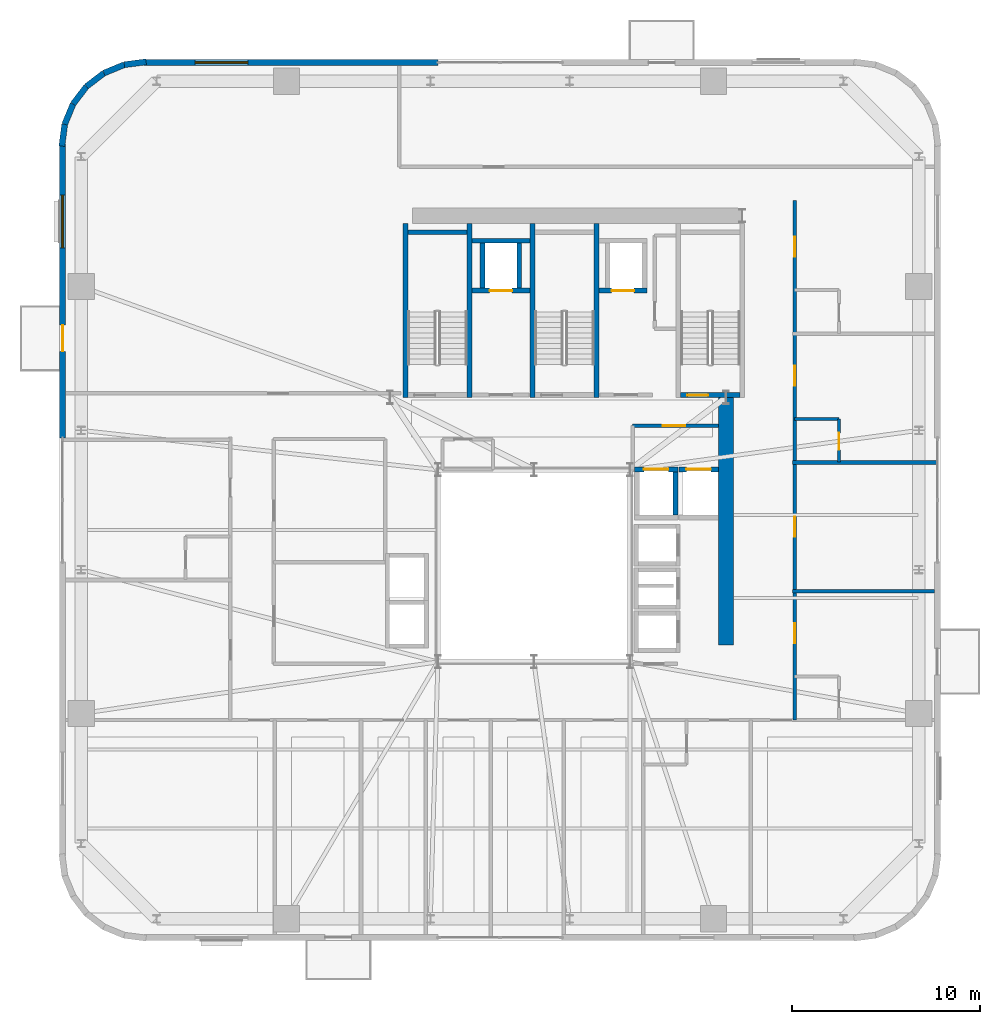
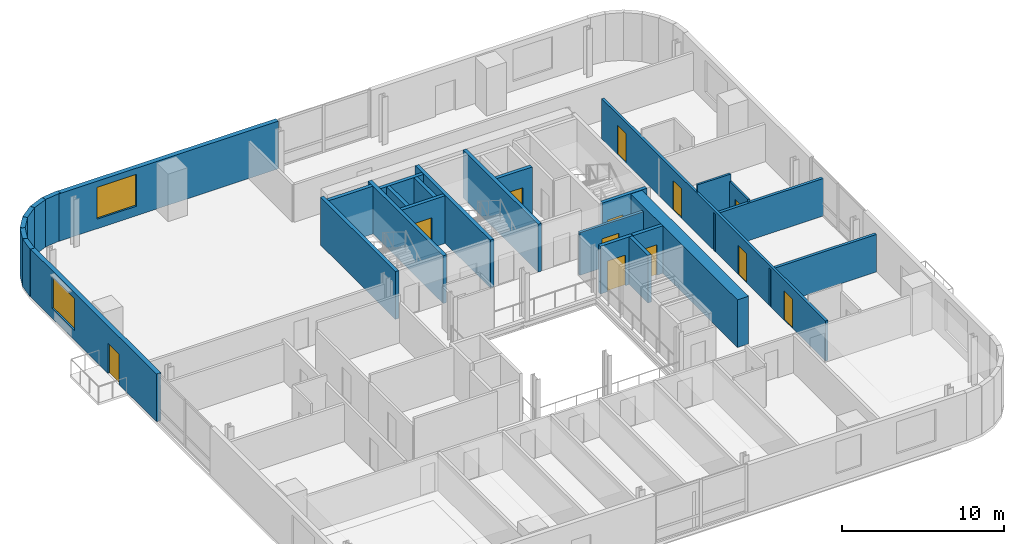
# One storey, part 10 of 16: 29 walls, 12 doors, 2 windows, 14 openings.
"""IFC4 building model written with IfcOpenShell, lengths in metres."""

import ifcopenshell
import ifcopenshell.guid

model = None  # the IFC model being written
_history = None  # IfcOwnerHistory: only IFC2X3 demands one
_inside = {}  # id of a spatial element -> (the spatial element, [elements in it])
_under = {}  # id of a project, library or spatial element -> (it, [spatial elements below it])
_declared = {}  # id of a project -> (the project, [libraries it declares])
_typed = {}  # id of a type object -> (the type object, [elements of that type])
_made_of = {}  # id of a material, layer set ... -> (it, [elements and type objects made of it])


def new_model(schema):
    """Start an empty IFC model of exactly this schema.

    Asked for "IFC4X3", IfcOpenShell would pick the latest addendum, in which some entities
    have other attributes; the version numbers below select the first issue.
    IFC2X3 requires an IfcOwnerHistory on every rooted entity: one is made here for all.
    """
    global model, _history
    if schema == "IFC4X3":
        model = ifcopenshell.file(schema_version=(4, 3, 0, 0))
    else:
        model = ifcopenshell.file(schema=schema)
    _inside.clear()
    _under.clear()
    _declared.clear()
    _typed.clear()
    _made_of.clear()
    _history = None
    if model.schema == "IFC2X3":
        org = make("IfcOrganization", Name="unknown")
        user = make(
            "IfcPersonAndOrganization",
            ThePerson=make("IfcPerson", FamilyName="unknown"),
            TheOrganization=org,
        )
        app = make(
            "IfcApplication",
            ApplicationDeveloper=org,
            Version="unknown",
            ApplicationFullName="unknown",
            ApplicationIdentifier="unknown",
        )
        _history = make(
            "IfcOwnerHistory",
            OwningUser=user,
            OwningApplication=app,
            ChangeAction="ADDED",
            CreationDate=0,
        )
    return model


def make(cls, **values):
    """One entity of the class cls with the attributes given. An attribute that is None is left unset."""
    return model.create_entity(
        cls, **{name: value for name, value in values.items() if value is not None}
    )


def rooted(cls, **values):
    """An entity with a GlobalId (a new one), such as an element, a storey or a relation."""
    return make(cls, GlobalId=ifcopenshell.guid.new(), OwnerHistory=_history, **values)


def si_unit(unit_type, name, prefix=None):
    """IfcSIUnit, for example si_unit("LENGTHUNIT", "METRE", prefix="MILLI")."""
    return make("IfcSIUnit", UnitType=unit_type, Prefix=prefix, Name=name)


def assignment(units):
    """IfcUnitAssignment: the units of a project."""
    return None if units is None else make("IfcUnitAssignment", Units=units)


def point(xyz):
    """IfcCartesianPoint."""
    return None if xyz is None else make("IfcCartesianPoint", Coordinates=xyz)


def direction(xyz):
    """IfcDirection."""
    return None if xyz is None else make("IfcDirection", DirectionRatios=xyz)


def frame(location, z_axis=None, x_axis=None):
    """IfcAxis2Placement3D, a coordinate frame: its origin and axes. An axis left out is left unset."""
    return make(
        "IfcAxis2Placement3D",
        Location=point(location),
        Axis=direction(z_axis),
        RefDirection=direction(x_axis),
    )


def frame_2d(location, x_axis=None):
    """IfcAxis2Placement2D, a coordinate frame in the plane: its origin and x axis."""
    return make(
        "IfcAxis2Placement2D", Location=point(location), RefDirection=direction(x_axis)
    )


def origin():
    """The frame at (0, 0, 0) with its axes left unset."""
    return frame((0.0, 0.0, 0.0))


def place(relative_to, where):
    """IfcLocalPlacement: puts the frame where relative to a parent placement (None: the world)."""
    return make(
        "IfcLocalPlacement", PlacementRelTo=relative_to, RelativePlacement=where
    )


def context(
    kind, dimensions, precision=None, world=None, true_north=None, identifier=None
):
    """IfcGeometricRepresentationContext, for example the 3D "Model" context."""
    return make(
        "IfcGeometricRepresentationContext",
        ContextIdentifier=identifier,
        ContextType=kind,
        CoordinateSpaceDimension=dimensions,
        Precision=precision,
        WorldCoordinateSystem=world,
        TrueNorth=true_north,
    )


def subcontext(parent, identifier, kind, view, scale=None):
    """IfcGeometricRepresentationSubContext, for example "Body" below "Model"."""
    return make(
        "IfcGeometricRepresentationSubContext",
        ContextIdentifier=identifier,
        ContextType=kind,
        ParentContext=parent,
        TargetScale=scale,
        TargetView=view,
    )


def project(units=None, contexts=None):
    """IfcProject with its units and contexts."""
    return rooted(
        "IfcProject",
        Name="project",
        RepresentationContexts=contexts,
        UnitsInContext=assignment(units),
    )


def spatial(cls, under=None, at=None, **own):
    """A site, building, storey or space (cls), placed at a placement, below another one or the project."""
    s = rooted(cls, ObjectPlacement=at, **own)
    if under is not None:
        _under.setdefault(under.id(), (under, []))[1].append(s)
    return s


def profile(cls, at=None, kind="AREA", **sizes):
    """A parametric profile (cls). Its sizes go by their IFC names, for example OverallWidth=200.0."""
    return make(cls, ProfileType=kind, Position=at, **sizes)


def rectangle(**sizes):
    """IfcRectangleProfileDef."""
    return profile("IfcRectangleProfileDef", **sizes)


def extrude(swept, where, along, depth):
    """IfcExtrudedAreaSolid: the profile swept, set in the frame where, extruded along a direction by depth."""
    return make(
        "IfcExtrudedAreaSolid",
        SweptArea=swept,
        Position=where,
        ExtrudedDirection=direction(along),
        Depth=depth,
    )


def shape(context_of_items, identifier, shape_type, items):
    """IfcShapeRepresentation: the items that make up one representation, for example the "Body"."""
    return make(
        "IfcShapeRepresentation",
        ContextOfItems=context_of_items,
        RepresentationIdentifier=identifier,
        RepresentationType=shape_type,
        Items=items,
    )


def source(mapping_origin, context_of_items, identifier, shape_type, items):
    """IfcRepresentationMap: a shape defined once, which mapped items show again and again."""
    return make(
        "IfcRepresentationMap",
        MappingOrigin=mapping_origin,
        MappedRepresentation=shape(context_of_items, identifier, shape_type, items),
    )


def transform(
    local_origin,
    x_axis=None,
    y_axis=None,
    z_axis=None,
    scale=None,
    scale2=None,
    scale3=None,
    uniform=True,
):
    """IfcCartesianTransformationOperator3D, or its non-uniform kind. x_axis, y_axis, z_axis: its Axis1, 2, 3."""
    if uniform:
        return make(
            "IfcCartesianTransformationOperator3D",
            Axis1=direction(x_axis),
            Axis2=direction(y_axis),
            LocalOrigin=point(local_origin),
            Scale=scale,
            Axis3=direction(z_axis),
        )
    return make(
        "IfcCartesianTransformationOperator3DnonUniform",
        Axis1=direction(x_axis),
        Axis2=direction(y_axis),
        LocalOrigin=point(local_origin),
        Scale=scale,
        Axis3=direction(z_axis),
        Scale2=scale2,
        Scale3=scale3,
    )


def mapped(mapping_source, mapping_target):
    """IfcMappedItem: shows the shape of a source again, moved by a transform."""
    return make(
        "IfcMappedItem", MappingSource=mapping_source, MappingTarget=mapping_target
    )


def material(Name=None, Category=None):
    """IfcMaterial."""
    return make("IfcMaterial", Name=Name, Category=Category)


def layer(
    of_material, thickness, ventilated=None, Name=None, Category=None, Priority=None
):
    """IfcMaterialLayer: one layer of a wall or slab, of a material (None: an air gap)."""
    return make(
        "IfcMaterialLayer",
        Material=of_material,
        LayerThickness=thickness,
        IsVentilated=ventilated,
        Name=Name,
        Category=Category,
        Priority=Priority,
    )


def layer_set(layers, Name=None):
    """IfcMaterialLayerSet."""
    return make("IfcMaterialLayerSet", MaterialLayers=layers, LayerSetName=Name)


def made_of(thing, what):
    """Note that an element or type object is made of a material, layer set ...; save() writes the relation."""
    if what is not None:
        _made_of.setdefault(what.id(), (what, []))[1].append(thing)
    return thing


def type_object(cls, material=None, **own):
    """A type object (cls), such as IfcWallType, which elements share."""
    return made_of(rooted(cls, **own), material)


def element(
    cls,
    number,
    at=None,
    inside=None,
    cuts=None,
    type_object=None,
    material=None,
    context=None,
    identifier="Body",
    shape_type=None,
    held_by="IfcProductDefinitionShape",
    body=None,
    shapes=None,
    **own,
):
    """One element of the class cls, such as IfcWall. Its Tag is "e" and its number.

    at: its placement. inside: the storey or other place that contains it. cuts: it is an
    opening in that element (IfcRelVoidsElement). A single representation is given by context,
    identifier, shape_type and body (its items); several are given by shapes. held_by: the class
    of the entity that holds the representations. save() writes the other relations.
    """
    e = rooted(cls, Tag="e%d" % number, ObjectPlacement=at, **own)
    if body is not None:
        shapes = [shape(context, identifier, shape_type, body)]
    if shapes is not None:
        e.Representation = make(held_by, Representations=shapes)
    if inside is not None:
        _inside.setdefault(inside.id(), (inside, []))[1].append(e)
    if cuts is not None:
        rooted(
            "IfcRelVoidsElement", RelatingBuildingElement=cuts, RelatedOpeningElement=e
        )
    if type_object is not None:
        _typed.setdefault(type_object.id(), (type_object, []))[1].append(e)
    return made_of(e, material)


def fill(opening, filler):
    """IfcRelFillsElement: the door or window that sits in an opening."""
    return rooted(
        "IfcRelFillsElement",
        RelatingOpeningElement=opening,
        RelatedBuildingElement=filler,
    )


def aggregate(whole, parts):
    """IfcRelAggregates: a whole, such as a stair, and the parts it consists of."""
    return rooted("IfcRelAggregates", RelatingObject=whole, RelatedObjects=parts)


def save(model, path):
    """Write the relations noted so far, then the file.

    IfcRelAggregates (storeys below a building ...), IfcRelContainedInSpatialStructure (elements
    in a storey), IfcRelDefinesByType, IfcRelAssociatesMaterial and IfcRelDeclares: one each for
    every whole, place, type object, material and project.
    """
    for whole, parts in _under.values():
        aggregate(whole, parts)
    for where, things in _inside.values():
        rooted(
            "IfcRelContainedInSpatialStructure",
            RelatedElements=things,
            RelatingStructure=where,
        )
    for kind, things in _typed.values():
        rooted("IfcRelDefinesByType", RelatedObjects=things, RelatingType=kind)
    for what, things in _made_of.values():
        rooted("IfcRelAssociatesMaterial", RelatedObjects=things, RelatingMaterial=what)
    for by, libraries in _declared.values():
        rooted("IfcRelDeclares", RelatingContext=by, RelatedDefinitions=libraries)
    model.write(path)


model = new_model("IFC4")

# Units and contexts
model_context = context("Model", 3, precision=1e-05, world=origin(), true_north=direction((0.0, 1.0)))
body_context = subcontext(model_context, "Body", "Model", "MODEL_VIEW")
ifc_project = project(units=[si_unit("LENGTHUNIT", "METRE"), si_unit("AREAUNIT", "SQUARE_METRE"), si_unit("VOLUMEUNIT", "CUBIC_METRE"), si_unit("PLANEANGLEUNIT", "RADIAN"), si_unit("MASSUNIT", "GRAM", prefix="KILO")], contexts=[model_context])

# Site, building, storey
site_placement = place(None, origin())
site = spatial("IfcSite", under=ifc_project, at=site_placement, CompositionType="ELEMENT")
building_placement = place(site_placement, origin())
building = spatial("IfcBuilding", under=site, at=building_placement, Name="Vardaveli Station Tower", CompositionType="ELEMENT")
storey_placement = place(building_placement, frame((0.0, 0.0, 181.0)))
storey = spatial("IfcBuildingStorey", under=building, at=storey_placement, Name="L46", CompositionType="ELEMENT", Elevation=181.0)

# Wall
ifc_material_1 = material(Name="Concrete C50/60", Category="concrete")
ifc_layer_1 = layer(ifc_material_1, 0.800048828125, Name="Concrete C50/60")
ifc_layer_set_1 = layer_set([ifc_layer_1], Name="Concrete C50/60")
wall_type_1 = type_object("IfcWallType", Name="WAL-CORE-800", PredefinedType="SHEAR", material=ifc_layer_set_1)
shared_shape_1 = source(origin(), body_context, "Body", "SweptSolid", [
    extrude(rectangle(XDim=13.14990234375, YDim=0.800048828125, at=frame_2d((6.574951171875, 0.0))), origin(), (0.0, 0.0, 1.0), 3.580078125),
])
wall_1_placement = place(storey_placement, frame((46.5, 17.5, 0.0), z_axis=(0.0, 0.0, 1.0), x_axis=(0.0, 1.0, 0.0)))
element("IfcWall", 1, at=wall_1_placement, inside=storey, type_object=wall_type_1, Name="SW-L46-EAST2", PredefinedType="SHEAR", context=body_context, shape_type="MappedRepresentation", body=[
    mapped(shared_shape_1, transform((0.0, 0.0, 0.0), scale=1.0)),
])

# Wall, opening, window
ifc_material_2 = material(Name="Precast concrete C45/55", Category="concrete")
ifc_layer_2 = layer(ifc_material_2, 0.320068359375, Name="Precast concrete C45/55")
ifc_layer_set_2 = layer_set([ifc_layer_2], Name="Precast concrete C45/55")
wall_type_2 = type_object("IfcWallType", Name="WAL-EXT-STONE-320", PredefinedType="SOLIDWALL", material=ifc_layer_set_2)
shared_shape_2 = source(origin(), body_context, "Body", "SweptSolid", [
    extrude(rectangle(XDim=15.599853515625, YDim=0.320068359375, at=frame_2d((7.7998046875, 0.0))), origin(), (0.0, 0.0, 1.0), 3.580078125),
])
wall_2_placement = place(storey_placement, frame((31.199951171875, 48.43994140625, 0.0), z_axis=(0.0, 0.0, 1.0), x_axis=(-1.0, 0.0, 0.0)))
wall_2 = element("IfcWall", 2, at=wall_2_placement, inside=storey, type_object=wall_type_2, Name="EW-L46-N2", PredefinedType="SOLIDWALL", context=body_context, shape_type="MappedRepresentation", body=[
    mapped(shared_shape_2, transform((0.0, 0.0, 0.0), scale=1.0)),
])
shared_shape_3 = source(origin(), body_context, "Body", "SweptSolid", [
    extrude(rectangle(XDim=2.800048828125, YDim=2.39990234375, at=frame_2d((1.39990234375, 1.199951171875))), frame((0.0, 0.169921875, 0.0), z_axis=(0.0, -1.0, 0.0), x_axis=(1.0, 0.0, 0.0)), (0.0, 0.0, 1.0), 0.340087890625),
])
opening_1_placement = place(wall_2_placement, frame((10.094970703125, 0.0, 0.719970703125)))
opening_1 = element("IfcOpeningElement", 3, at=opening_1_placement, cuts=wall_2, Name="Opening W-04", PredefinedType="OPENING", context=body_context, shape_type="MappedRepresentation", body=[
    mapped(shared_shape_3, transform((0.0, 0.0, 0.0), scale=1.0)),
])
ifc_material_3 = material(Name="Low-E solar-control glass", Category="glass")
window_type = type_object("IfcWindowType", Name="WIN-SUITE-2800x2400", PartitioningType="SINGLE_PANEL", PredefinedType="WINDOW", material=ifc_material_3)
shared_shape_4 = source(origin(), body_context, "Body", "SweptSolid", [
    extrude(rectangle(XDim=2.800048828125, YDim=2.39990234375, at=frame_2d((1.39990234375, 1.199951171875))), frame((0.0, 0.030029296875, 0.0), z_axis=(0.0, -1.0, 0.0), x_axis=(1.0, 0.0, 0.0)), (0.0, 0.0, 1.0), 0.06005859375),
])
window_1_placement = place(opening_1_placement, origin())
window_1 = element("IfcWindow", 4, at=window_1_placement, inside=storey, type_object=window_type, Name="WN-L46-N2", OverallHeight=2.39990234375, OverallWidth=2.800048828125, PartitioningType="SINGLE_PANEL", PredefinedType="WINDOW", context=body_context, shape_type="MappedRepresentation", body=[
    mapped(shared_shape_4, transform((0.0, 0.0, 0.0), scale=1.0)),
])
fill(opening_1, window_1)

# Wall, openings, door, window
shared_shape_5 = source(origin(), body_context, "Body", "SweptSolid", [
    extrude(rectangle(XDim=15.60009765625, YDim=0.320068359375, at=frame_2d((7.800048828125, 0.0))), origin(), (0.0, 0.0, 1.0), 3.580078125),
])
wall_3_placement = place(storey_placement, frame((11.260009765625, 44.10009765625, 0.0), z_axis=(0.0, 0.0, 1.0), x_axis=(0.0, -1.0, 0.0)))
wall_3 = element("IfcWall", 5, at=wall_3_placement, inside=storey, type_object=wall_type_2, Name="EW-L46-W1", PredefinedType="SOLIDWALL", context=body_context, shape_type="MappedRepresentation", body=[
    mapped(shared_shape_5, transform((0.0, 0.0, 0.0), scale=1.0)),
])
shared_shape_6 = source(origin(), body_context, "Body", "SweptSolid", [
    extrude(rectangle(XDim=1.39990234375, YDim=2.300048828125, at=frame_2d((0.699951171875, 1.14990234375))), frame((0.0, 0.169921875, 0.0), z_axis=(0.0, -1.0, 0.0), x_axis=(1.0, 0.0, 0.0)), (0.0, 0.0, 1.0), 0.340087890625),
])
opening_2_placement = place(wall_3_placement, frame((9.6103515625, 0.0, 0.0)))
opening_2 = element("IfcOpeningElement", 6, at=opening_2_placement, cuts=wall_3, Name="Opening D-09", PredefinedType="OPENING", context=body_context, shape_type="MappedRepresentation", body=[
    mapped(shared_shape_6, transform((0.0, 0.0, 0.0), scale=1.0)),
])
opening_3_placement = place(wall_3_placement, frame((2.705078125, 0.0, 0.719970703125)))
opening_3 = element("IfcOpeningElement", 7, at=opening_3_placement, cuts=wall_3, Name="Opening W-04", PredefinedType="OPENING", context=body_context, shape_type="MappedRepresentation", body=[
    mapped(shared_shape_3, transform((0.0, 0.0, 0.0), scale=1.0)),
])
ifc_material_4 = material(Name="Thermally broken aluminium glass", Category="aluminium")
door_type_1 = type_object("IfcDoorType", Name="DR-LOG-1400x2300", OperationType="DOUBLE_DOOR_SLIDING", PredefinedType="DOOR", material=ifc_material_4)
shared_shape_7 = source(origin(), body_context, "Body", "SweptSolid", [
    extrude(rectangle(XDim=1.39990234375, YDim=2.300048828125, at=frame_2d((0.699951171875, 1.14990234375))), frame((0.0, 0.02490234375, 0.0), z_axis=(0.0, -1.0, 0.0), x_axis=(1.0, 0.0, 0.0)), (0.0, 0.0, 1.0), 0.050048828125),
])
door_1_placement = place(opening_2_placement, frame((1.39990234375, 0.0, 0.0), z_axis=(0.0, 0.0, 1.0), x_axis=(-1.0, 0.0, 0.0)))
door_1 = element("IfcDoor", 8, at=door_1_placement, inside=storey, type_object=door_type_1, Name="DLG-L46-W", OperationType="DOUBLE_DOOR_SLIDING", OverallHeight=2.300048828125, OverallWidth=1.39990234375, PredefinedType="DOOR", context=body_context, shape_type="MappedRepresentation", body=[
    mapped(shared_shape_7, transform((0.0, 0.0, 0.0), scale=1.0)),
])
fill(opening_2, door_1)
window_2_placement = place(opening_3_placement, origin())
window_2 = element("IfcWindow", 9, at=window_2_placement, inside=storey, type_object=window_type, Name="WN-L46-W1", OverallHeight=2.39990234375, OverallWidth=2.800048828125, PartitioningType="SINGLE_PANEL", PredefinedType="WINDOW", context=body_context, shape_type="MappedRepresentation", body=[
    mapped(shared_shape_4, transform((0.0, 0.0, 0.0), scale=1.0)),
])
fill(opening_3, window_2)

# Walls
shared_shape_8 = source(origin(), body_context, "Body", "SweptSolid", [
    extrude(rectangle(XDim=1.1689453125, YDim=0.320068359375, at=frame_2d((0.58447265625, 0.0))), origin(), (0.0, 0.0, 1.0), 3.580078125),
])
wall_4_placement = place(storey_placement, frame((12.53125, 47.1689453125, 0.0), z_axis=(0.0, 0.0, 1.0), x_axis=(-0.608387696831, -0.793639975269, 0.0)))
element("IfcWall", 10, at=wall_4_placement, inside=storey, type_object=wall_type_2, Name="EW-L46-CR4-4", PredefinedType="SOLIDWALL", context=body_context, shape_type="MappedRepresentation", body=[
    mapped(shared_shape_8, transform((0.0, 0.0, 0.0), scale=1.0)),
])
shared_shape_9 = source(origin(), body_context, "Body", "SweptSolid", [
    extrude(rectangle(XDim=1.168701171875, YDim=0.320068359375, at=frame_2d((0.58447265625, 0.0))), origin(), (0.0, 0.0, 1.0), 3.580078125),
])
wall_5_placement = place(storey_placement, frame((13.458740234375, 47.8798828125, 0.0), z_axis=(0.0, 0.0, 1.0), x_axis=(-0.793663520347, -0.608356981114, 0.0)))
element("IfcWall", 11, at=wall_5_placement, inside=storey, type_object=wall_type_2, Name="EW-L46-CR4-3", PredefinedType="SOLIDWALL", context=body_context, shape_type="MappedRepresentation", body=[
    mapped(shared_shape_9, transform((0.0, 0.0, 0.0), scale=1.0)),
])
shared_shape_10 = source(origin(), body_context, "Body", "SweptSolid", [
    extrude(rectangle(XDim=1.17041015625, YDim=0.320068359375, at=frame_2d((0.585205078125, 0.0))), origin(), (0.0, 0.0, 1.0), 3.580078125),
])
for number, where, z_axis, x_axis, name in (
    (12, (15.700439453125, 48.4755859375, 0.0), (0.0, 0.0, 1.0), (-0.991735963317, -0.128295670475, 0.0), "EW-L46-CR4-1"),
    (13, (11.37451171875, 45.16015625, 0.0), (0.0, 0.0, 1.0), (-0.128295670475, -0.991735963317, 0.0), "EW-L46-CR4-6"),
):
    element("IfcWall", number, at=place(storey_placement, frame(where, z_axis=z_axis, x_axis=x_axis)), inside=storey, type_object=wall_type_2, Name=name, PredefinedType="SOLIDWALL", context=body_context, shape_type="MappedRepresentation", body=[
        mapped(shared_shape_10, transform((0.0, 0.0, 0.0), scale=1.0)),
    ])
shared_shape_11 = source(origin(), body_context, "Body", "SweptSolid", [
    extrude(rectangle(XDim=1.169189453125, YDim=0.320068359375, at=frame_2d((0.58447265625, 0.0))), origin(), (0.0, 0.0, 1.0), 3.580078125),
])
for number, where, z_axis, x_axis, name in (
    (14, (14.539794921875, 48.325439453125, 0.0), (0.0, 0.0, 1.0), (-0.924552646638, -0.381054331552, 0.0), "EW-L46-CR4-2"),
    (15, (11.820068359375, 46.2412109375, 0.0), (0.0, 0.0, 1.0), (-0.381054331552, -0.924552646638, 0.0), "EW-L46-CR4-5"),
):
    element("IfcWall", number, at=place(storey_placement, frame(where, z_axis=z_axis, x_axis=x_axis)), inside=storey, type_object=wall_type_2, Name=name, PredefinedType="SOLIDWALL", context=body_context, shape_type="MappedRepresentation", body=[
        mapped(shared_shape_11, transform((0.0, 0.0, 0.0), scale=1.0)),
    ])
ifc_material_5 = material(Name="Concrete C40/50", Category="concrete")
ifc_layer_3 = layer(ifc_material_5, 0.25, Name="Concrete C40/50")
ifc_layer_set_3 = layer_set([ifc_layer_3], Name="Concrete C40/50")
wall_type_3 = type_object("IfcWallType", Name="WAL-SHAFT-250", PredefinedType="SOLIDWALL", material=ifc_layer_set_3)
shared_shape_12 = source(origin(), body_context, "Body", "SweptSolid", [
    extrude(rectangle(XDim=9.25, YDim=0.25, at=frame_2d((4.625, 0.0))), origin(), (0.0, 0.0, 1.0), 3.60009765625),
])
for number, where, z_axis, x_axis, name in (
    (16, (29.47509765625, 30.64990234375, 0.0), (0.0, 0.0, 1.0), (0.0, 1.0, 0.0), "W-L46-ST-1W"),
    (17, (32.875, 30.64990234375, 0.0), (0.0, 0.0, 1.0), (0.0, 1.0, 0.0), "W-L46-ST-1E"),
    (18, (36.22509765625, 30.64990234375, 0.0), (0.0, 0.0, 1.0), (0.0, 1.0, 0.0), "W-L46-ST-2W"),
    (19, (39.625, 30.64990234375, 0.0), (0.0, 0.0, 1.0), (0.0, 1.0, 0.0), "W-L46-ST-2E"),
):
    element("IfcWall", number, at=place(storey_placement, frame(where, z_axis=z_axis, x_axis=x_axis)), inside=storey, type_object=wall_type_3, Name=name, PredefinedType="SOLIDWALL", context=body_context, shape_type="MappedRepresentation", body=[
        mapped(shared_shape_12, transform((0.0, 0.0, 0.0), scale=1.0)),
    ])
shared_shape_13 = source(origin(), body_context, "Body", "SweptSolid", [
    extrude(rectangle(XDim=3.14990234375, YDim=0.25, at=frame_2d((1.574951171875, 0.0))), origin(), (0.0, 0.0, 1.0), 3.60009765625),
])
wall_6_placement = place(storey_placement, frame((29.60009765625, 39.425048828125, 0.0), z_axis=(0.0, 0.0, 1.0), x_axis=(1.0, 0.0, 0.0)))
element("IfcWall", 20, at=wall_6_placement, inside=storey, type_object=wall_type_3, Name="W-L46-ST-1N", PredefinedType="SOLIDWALL", context=body_context, shape_type="MappedRepresentation", body=[
    mapped(shared_shape_13, transform((0.0, 0.0, 0.0), scale=1.0)),
])

# Wall, opening, door
wall_7_placement = place(storey_placement, frame((44.10009765625, 30.77490234375, 0.0), z_axis=(0.0, 0.0, 1.0), x_axis=(1.0, 0.0, 0.0)))
wall_7 = element("IfcWall", 21, at=wall_7_placement, inside=storey, type_object=wall_type_3, Name="W-L46-ST-3S", PredefinedType="SOLIDWALL", context=body_context, shape_type="MappedRepresentation", body=[
    mapped(shared_shape_13, transform((0.0, 0.0, 0.0), scale=1.0)),
])
shared_shape_14 = source(origin(), body_context, "Body", "SweptSolid", [
    extrude(rectangle(XDim=1.10009765625, YDim=2.199951171875, at=frame_2d((0.550048828125, 1.10009765625))), frame((0.0, 0.135009765625, 0.0), z_axis=(0.0, -1.0, 0.0), x_axis=(1.0, 0.0, 0.0)), (0.0, 0.0, 1.0), 0.27001953125),
])
opening_4_placement = place(wall_7_placement, frame((0.35009765625, 0.0, 0.0)))
opening_4 = element("IfcOpeningElement", 22, at=opening_4_placement, cuts=wall_7, Name="Opening D-04", PredefinedType="OPENING", context=body_context, shape_type="MappedRepresentation", body=[
    mapped(shared_shape_14, transform((0.0, 0.0, 0.0), scale=1.0)),
])
ifc_material_6 = material(Name="Steel smokeproof fire doorset", Category="steel")
door_type_2 = type_object("IfcDoorType", Name="DR-ST-1100x2200", OperationType="NOTDEFINED", PredefinedType="DOOR", material=ifc_material_6)
shared_shape_15 = source(origin(), body_context, "Body", "SweptSolid", [
    extrude(rectangle(XDim=1.10009765625, YDim=2.199951171875, at=frame_2d((0.550048828125, 1.10009765625))), frame((0.0, 0.02490234375, 0.0), z_axis=(0.0, -1.0, 0.0), x_axis=(1.0, 0.0, 0.0)), (0.0, 0.0, 1.0), 0.050048828125),
])
door_2_placement = place(opening_4_placement, origin())
door_2 = element("IfcDoor", 23, at=door_2_placement, inside=storey, type_object=door_type_2, Name="DST-3-L46", OperationType="SINGLE_SWING_LEFT", OverallHeight=2.199951171875, OverallWidth=1.10009765625, PredefinedType="DOOR", context=body_context, shape_type="MappedRepresentation", body=[
    mapped(shared_shape_15, transform((0.0, 0.0, 0.0), scale=1.0)),
])
fill(opening_4, door_2)

shared_shape_16 = source(origin(), body_context, "Body", "SweptSolid", [
    extrude(rectangle(XDim=3.10009765625, YDim=0.25, at=frame_2d((1.550048828125, 0.0))), origin(), (0.0, 0.0, 1.0), 3.580078125),
])
wall_8_placement = place(storey_placement, frame((33.0, 36.324951171875, 0.0), z_axis=(0.0, 0.0, 1.0), x_axis=(1.0, 0.0, 0.0)))
wall_8 = element("IfcWall", 24, at=wall_8_placement, inside=storey, type_object=wall_type_3, Name="SHW-FFL-01-L46-S", PredefinedType="SOLIDWALL", context=body_context, shape_type="MappedRepresentation", body=[
    mapped(shared_shape_16, transform((0.0, 0.0, 0.0), scale=1.0)),
])
shared_shape_17 = source(origin(), body_context, "Body", "SweptSolid", [
    extrude(rectangle(XDim=1.199951171875, YDim=2.25, at=frame_2d((0.60009765625, 1.125))), frame((0.0, 0.135009765625, 0.0), z_axis=(0.0, -1.0, 0.0), x_axis=(1.0, 0.0, 0.0)), (0.0, 0.0, 1.0), 0.27001953125),
])
opening_5_placement = place(wall_8_placement, frame((0.949951171875, 0.0, 0.0)))
opening_5 = element("IfcOpeningElement", 25, at=opening_5_placement, cuts=wall_8, Name="Opening LD-02", PredefinedType="OPENING", context=body_context, shape_type="MappedRepresentation", body=[
    mapped(shared_shape_17, transform((0.0, 0.0, 0.0), scale=1.0)),
])
ifc_material_7 = material(Name="Brushed stainless steel", Category="steel")
door_type_3 = type_object("IfcDoorType", Name="DR-LD-1200x2250", OperationType="DOUBLE_DOOR_SLIDING", PredefinedType="DOOR", material=ifc_material_7)
shared_shape_18 = source(origin(), body_context, "Body", "SweptSolid", [
    extrude(rectangle(XDim=1.199951171875, YDim=2.25, at=frame_2d((0.60009765625, 1.125))), frame((0.0, 0.02490234375, 0.0), z_axis=(0.0, -1.0, 0.0), x_axis=(1.0, 0.0, 0.0)), (0.0, 0.0, 1.0), 0.050048828125),
])
door_3_placement = place(opening_5_placement, origin())
door_3 = element("IfcDoor", 26, at=door_3_placement, inside=storey, type_object=door_type_3, Name="LD-FFL-01-L46", OperationType="DOUBLE_DOOR_SLIDING", OverallHeight=2.25, OverallWidth=1.199951171875, PredefinedType="DOOR", context=body_context, shape_type="MappedRepresentation", body=[
    mapped(shared_shape_18, transform((0.0, 0.0, 0.0), scale=1.0)),
])
fill(opening_5, door_3)

# Walls
wall_9_placement = place(storey_placement, frame((33.0, 38.97509765625, 0.0), z_axis=(0.0, 0.0, 1.0), x_axis=(1.0, 0.0, 0.0)))
element("IfcWall", 27, at=wall_9_placement, inside=storey, type_object=wall_type_3, Name="SHW-FFL-01-L46-N", PredefinedType="SOLIDWALL", context=body_context, shape_type="MappedRepresentation", body=[
    mapped(shared_shape_16, transform((0.0, 0.0, 0.0), scale=1.0)),
])
shared_shape_19 = source(origin(), body_context, "Body", "SweptSolid", [
    extrude(rectangle(XDim=2.400146484375, YDim=0.25, at=frame_2d((1.2001953125, 0.0))), origin(), (0.0, 0.0, 1.0), 3.580078125),
])
for number, where, z_axis, x_axis, name in (
    (28, (33.574951171875, 36.449951171875, 0.0), (0.0, 0.0, 1.0), (0.0, 1.0, 0.0), "SHW-FFL-01-L46-W"),
    (29, (35.52490234375, 36.449951171875, 0.0), (0.0, 0.0, 1.0), (0.0, 1.0, 0.0), "SHW-FFL-01-L46-E"),
):
    element("IfcWall", number, at=place(storey_placement, frame(where, z_axis=z_axis, x_axis=x_axis)), inside=storey, type_object=wall_type_3, Name=name, PredefinedType="SOLIDWALL", context=body_context, shape_type="MappedRepresentation", body=[
        mapped(shared_shape_19, transform((0.0, 0.0, 0.0), scale=1.0)),
    ])

# Wall, opening, door
shared_shape_20 = source(origin(), body_context, "Body", "SweptSolid", [
    extrude(rectangle(XDim=2.550048828125, YDim=0.25, at=frame_2d((1.27490234375, 0.0))), origin(), (0.0, 0.0, 1.0), 3.580078125),
])
wall_10_placement = place(storey_placement, frame((39.75, 36.324951171875, 0.0), z_axis=(0.0, 0.0, 1.0), x_axis=(1.0, 0.0, 0.0)))
wall_10 = element("IfcWall", 30, at=wall_10_placement, inside=storey, type_object=wall_type_3, Name="SHW-FFL-02-L46-S", PredefinedType="SOLIDWALL", context=body_context, shape_type="MappedRepresentation", body=[
    mapped(shared_shape_20, transform((0.0, 0.0, 0.0), scale=1.0)),
])
opening_6_placement = place(wall_10_placement, frame((0.675048828125, 0.0, 0.0)))
opening_6 = element("IfcOpeningElement", 31, at=opening_6_placement, cuts=wall_10, Name="Opening LD-02", PredefinedType="OPENING", context=body_context, shape_type="MappedRepresentation", body=[
    mapped(shared_shape_17, transform((0.0, 0.0, 0.0), scale=1.0)),
])
door_4_placement = place(opening_6_placement, origin())
door_4 = element("IfcDoor", 32, at=door_4_placement, inside=storey, type_object=door_type_3, Name="LD-FFL-02-L46", OperationType="DOUBLE_DOOR_SLIDING", OverallHeight=2.25, OverallWidth=1.199951171875, PredefinedType="DOOR", context=body_context, shape_type="MappedRepresentation", body=[
    mapped(shared_shape_18, transform((0.0, 0.0, 0.0), scale=1.0)),
])
fill(opening_6, door_4)

shared_shape_21 = source(origin(), body_context, "Body", "SweptSolid", [
    extrude(rectangle(XDim=2.300048828125, YDim=0.25, at=frame_2d((1.14990234375, 0.0))), origin(), (0.0, 0.0, 1.0), 3.580078125),
])
wall_11_placement = place(storey_placement, frame((41.64990234375, 26.824951171875, 0.0), z_axis=(0.0, 0.0, 1.0), x_axis=(1.0, 0.0, 0.0)))
wall_11 = element("IfcWall", 33, at=wall_11_placement, inside=storey, type_object=wall_type_3, Name="SHW-SRV-01-L46-N", PredefinedType="SOLIDWALL", context=body_context, shape_type="MappedRepresentation", body=[
    mapped(shared_shape_21, transform((0.0, 0.0, 0.0), scale=1.0)),
])
shared_shape_22 = source(origin(), body_context, "Body", "SweptSolid", [
    extrude(rectangle(XDim=1.300048828125, YDim=2.300048828125, at=frame_2d((0.64990234375, 1.14990234375))), frame((0.0, 0.135009765625, 0.0), z_axis=(0.0, -1.0, 0.0), x_axis=(1.0, 0.0, 0.0)), (0.0, 0.0, 1.0), 0.27001953125),
])
opening_7_placement = place(wall_11_placement, frame((0.5, 0.0, 0.0)))
opening_7 = element("IfcOpeningElement", 34, at=opening_7_placement, cuts=wall_11, Name="Opening LD-03", PredefinedType="OPENING", context=body_context, shape_type="MappedRepresentation", body=[
    mapped(shared_shape_22, transform((0.0, 0.0, 0.0), scale=1.0)),
])
door_type_4 = type_object("IfcDoorType", Name="DR-LD-1300x2300", OperationType="DOUBLE_DOOR_SLIDING", PredefinedType="DOOR", material=ifc_material_7)
shared_shape_23 = source(origin(), body_context, "Body", "SweptSolid", [
    extrude(rectangle(XDim=1.300048828125, YDim=2.300048828125, at=frame_2d((0.64990234375, 1.14990234375))), frame((0.0, 0.02490234375, 0.0), z_axis=(0.0, -1.0, 0.0), x_axis=(1.0, 0.0, 0.0)), (0.0, 0.0, 1.0), 0.050048828125),
])
door_5_placement = place(opening_7_placement, origin())
door_5 = element("IfcDoor", 35, at=door_5_placement, inside=storey, type_object=door_type_4, Name="LD-SRV-01-L46", OperationType="DOUBLE_DOOR_SLIDING", OverallHeight=2.300048828125, OverallWidth=1.300048828125, PredefinedType="DOOR", context=body_context, shape_type="MappedRepresentation", body=[
    mapped(shared_shape_23, transform((0.0, 0.0, 0.0), scale=1.0)),
])
fill(opening_7, door_5)

# Wall
wall_12_placement = place(storey_placement, frame((43.824951171875, 24.39990234375, 0.0), z_axis=(0.0, 0.0, 1.0), x_axis=(0.0, 1.0, 0.0)))
element("IfcWall", 36, at=wall_12_placement, inside=storey, type_object=wall_type_3, Name="SHW-SRV-01-L46-E", PredefinedType="SOLIDWALL", context=body_context, shape_type="MappedRepresentation", body=[
    mapped(shared_shape_21, transform((0.0, 0.0, 0.0), scale=1.0)),
])

# Wall, opening, door
shared_shape_24 = source(origin(), body_context, "Body", "SweptSolid", [
    extrude(rectangle(XDim=2.10009765625, YDim=0.25, at=frame_2d((1.050048828125, 0.0))), origin(), (0.0, 0.0, 1.0), 3.580078125),
])
wall_13_placement = place(storey_placement, frame((44.0, 26.824951171875, 0.0), z_axis=(0.0, 0.0, 1.0), x_axis=(1.0, 0.0, 0.0)))
wall_13 = element("IfcWall", 37, at=wall_13_placement, inside=storey, type_object=wall_type_3, Name="SHW-SRV-02-L46-N", PredefinedType="SOLIDWALL", context=body_context, shape_type="MappedRepresentation", body=[
    mapped(shared_shape_24, transform((0.0, 0.0, 0.0), scale=1.0)),
])
opening_8_placement = place(wall_13_placement, frame((0.39990234375, 0.0, 0.0)))
opening_8 = element("IfcOpeningElement", 38, at=opening_8_placement, cuts=wall_13, Name="Opening LD-03", PredefinedType="OPENING", context=body_context, shape_type="MappedRepresentation", body=[
    mapped(shared_shape_22, transform((0.0, 0.0, 0.0), scale=1.0)),
])
door_6_placement = place(opening_8_placement, origin())
door_6 = element("IfcDoor", 39, at=door_6_placement, inside=storey, type_object=door_type_4, Name="LD-SRV-02-L46", OperationType="DOUBLE_DOOR_SLIDING", OverallHeight=2.300048828125, OverallWidth=1.300048828125, PredefinedType="DOOR", context=body_context, shape_type="MappedRepresentation", body=[
    mapped(shared_shape_23, transform((0.0, 0.0, 0.0), scale=1.0)),
])
fill(opening_8, door_6)

# Wall, openings, doors
ifc_material_8 = material(Name="Fire-rated gypsum stud partition")
ifc_layer_4 = layer(ifc_material_8, 0.179931640625, Name="Fire-rated gypsum stud partition")
ifc_layer_set_4 = layer_set([ifc_layer_4], Name="Fire-rated gypsum stud partition")
wall_type_4 = type_object("IfcWallType", Name="WAL-CORR-180", PredefinedType="PARTITIONING", material=ifc_layer_set_4)
shared_shape_25 = source(origin(), body_context, "Body", "SweptSolid", [
    extrude(rectangle(XDim=27.590087890625, YDim=0.179931640625, at=frame_2d((13.794921875, 0.0))), origin(), (0.0, 0.0, 1.0), 3.02197265625),
])
wall_14_placement = place(storey_placement, frame((50.14990234375, 13.510009765625, 0.0), z_axis=(0.0, 0.0, 1.0), x_axis=(0.0, 1.0, 0.0)))
wall_14 = element("IfcWall", 40, at=wall_14_placement, inside=storey, type_object=wall_type_4, Name="W-L46-CE", PredefinedType="PARTITIONING", context=body_context, shape_type="MappedRepresentation", body=[
    mapped(shared_shape_25, transform((0.0, 0.0, 0.0), scale=1.0)),
])
shared_shape_26 = source(origin(), body_context, "Body", "SweptSolid", [
    extrude(rectangle(XDim=1.050048828125, YDim=2.199951171875, at=frame_2d((0.52490234375, 1.10009765625))), frame((0.0, 0.10009765625, 0.0), z_axis=(0.0, -1.0, 0.0), x_axis=(1.0, 0.0, 0.0)), (0.0, 0.0, 1.0), 0.199951171875),
])
opening_9_placement = place(wall_14_placement, frame((4.086181640625, 0.0, 0.0)))
opening_9 = element("IfcOpeningElement", 41, at=opening_9_placement, cuts=wall_14, Name="Opening D-05", PredefinedType="OPENING", context=body_context, shape_type="MappedRepresentation", body=[
    mapped(shared_shape_26, transform((0.0, 0.0, 0.0), scale=1.0)),
])
opening_10_placement = place(wall_14_placement, frame((9.743896484375, 0.0, 0.0)))
opening_10 = element("IfcOpeningElement", 42, at=opening_10_placement, cuts=wall_14, Name="Opening D-05", PredefinedType="OPENING", context=body_context, shape_type="MappedRepresentation", body=[
    mapped(shared_shape_26, transform((0.0, 0.0, 0.0), scale=1.0)),
])
opening_11_placement = place(wall_14_placement, frame((17.771240234375, 0.0, 0.0)))
opening_11 = element("IfcOpeningElement", 43, at=opening_11_placement, cuts=wall_14, Name="Opening D-05", PredefinedType="OPENING", context=body_context, shape_type="MappedRepresentation", body=[
    mapped(shared_shape_26, transform((0.0, 0.0, 0.0), scale=1.0)),
])
opening_12_placement = place(wall_14_placement, frame((24.61376953125, 0.0, 0.0)))
opening_12 = element("IfcOpeningElement", 44, at=opening_12_placement, cuts=wall_14, Name="Opening D-05", PredefinedType="OPENING", context=body_context, shape_type="MappedRepresentation", body=[
    mapped(shared_shape_26, transform((0.0, 0.0, 0.0), scale=1.0)),
])
ifc_material_9 = material(Name="Walnut veneer acoustic fire door")
door_type_5 = type_object("IfcDoorType", Name="DR-SUITE-1050x2200", OperationType="NOTDEFINED", PredefinedType="DOOR", material=ifc_material_9)
shared_shape_27 = source(origin(), body_context, "Body", "SweptSolid", [
    extrude(rectangle(XDim=1.050048828125, YDim=2.199951171875, at=frame_2d((0.52490234375, 1.10009765625))), frame((0.0, 0.02490234375, 0.0), z_axis=(0.0, -1.0, 0.0), x_axis=(1.0, 0.0, 0.0)), (0.0, 0.0, 1.0), 0.050048828125),
])
door_7_placement = place(opening_9_placement, origin())
door_7 = element("IfcDoor", 45, at=door_7_placement, inside=storey, type_object=door_type_5, Name="D-L46-GE1", OperationType="SINGLE_SWING_RIGHT", OverallHeight=2.199951171875, OverallWidth=1.050048828125, PredefinedType="DOOR", context=body_context, shape_type="MappedRepresentation", body=[
    mapped(shared_shape_27, transform((0.0, 0.0, 0.0), scale=1.0)),
])
fill(opening_9, door_7)
door_8_placement = place(opening_10_placement, origin())
door_8 = element("IfcDoor", 46, at=door_8_placement, inside=storey, type_object=door_type_5, Name="D-L46-GE2", OperationType="SINGLE_SWING_LEFT", OverallHeight=2.199951171875, OverallWidth=1.050048828125, PredefinedType="DOOR", context=body_context, shape_type="MappedRepresentation", body=[
    mapped(shared_shape_27, transform((0.0, 0.0, 0.0), scale=1.0)),
])
fill(opening_10, door_8)
door_9_placement = place(opening_11_placement, origin())
door_9 = element("IfcDoor", 47, at=door_9_placement, inside=storey, type_object=door_type_5, Name="D-L46-GE3", OperationType="SINGLE_SWING_RIGHT", OverallHeight=2.199951171875, OverallWidth=1.050048828125, PredefinedType="DOOR", context=body_context, shape_type="MappedRepresentation", body=[
    mapped(shared_shape_27, transform((0.0, 0.0, 0.0), scale=1.0)),
])
fill(opening_11, door_9)
door_10_placement = place(opening_12_placement, origin())
door_10 = element("IfcDoor", 48, at=door_10_placement, inside=storey, type_object=door_type_5, Name="D-L46-GE4", OperationType="SINGLE_SWING_LEFT", OverallHeight=2.199951171875, OverallWidth=1.050048828125, PredefinedType="DOOR", context=body_context, shape_type="MappedRepresentation", body=[
    mapped(shared_shape_27, transform((0.0, 0.0, 0.0), scale=1.0)),
])
fill(opening_12, door_10)

# Wall, opening, door
ifc_material_10 = material(Name="Moisture-resistant stud partition")
ifc_layer_5 = layer(ifc_material_10, 0.14990234375, Name="Moisture-resistant stud partition")
ifc_layer_set_5 = layer_set([ifc_layer_5], Name="Moisture-resistant stud partition")
wall_type_5 = type_object("IfcWallType", Name="WAL-WET-150", PredefinedType="PARTITIONING", material=ifc_layer_set_5)
shared_shape_28 = source(origin(), body_context, "Body", "SweptSolid", [
    extrude(rectangle(XDim=2.289794921875, YDim=0.14990234375, at=frame_2d((1.14501953125, 0.0))), origin(), (0.0, 0.0, 1.0), 3.02197265625),
])
wall_15_placement = place(storey_placement, frame((52.510009765625, 27.215087890625, 0.0), z_axis=(0.0, 0.0, 1.0), x_axis=(0.0, 1.0, 0.0)))
wall_15 = element("IfcWall", 49, at=wall_15_placement, inside=storey, type_object=wall_type_5, Name="W-L46-BE3-E", PredefinedType="PARTITIONING", context=body_context, shape_type="MappedRepresentation", body=[
    mapped(shared_shape_28, transform((0.0, 0.0, 0.0), scale=1.0)),
])
shared_shape_29 = source(origin(), body_context, "Body", "SweptSolid", [
    extrude(rectangle(XDim=0.89990234375, YDim=2.10009765625, at=frame_2d((0.449951171875, 1.050048828125))), frame((0.0, 0.0849609375, 0.0), z_axis=(0.0, -1.0, 0.0), x_axis=(1.0, 0.0, 0.0)), (0.0, 0.0, 1.0), 0.169921875),
])
opening_13_placement = place(wall_15_placement, frame((0.64990234375, 0.0, 0.0)))
opening_13 = element("IfcOpeningElement", 50, at=opening_13_placement, cuts=wall_15, Name="Opening D-08", PredefinedType="OPENING", context=body_context, shape_type="MappedRepresentation", body=[
    mapped(shared_shape_29, transform((0.0, 0.0, 0.0), scale=1.0)),
])
ifc_material_11 = material(Name="Moisture-resistant oak door")
door_type_6 = type_object("IfcDoorType", Name="DR-BATH-900x2100", OperationType="NOTDEFINED", PredefinedType="DOOR", material=ifc_material_11)
shared_shape_30 = source(origin(), body_context, "Body", "SweptSolid", [
    extrude(rectangle(XDim=0.89990234375, YDim=2.10009765625, at=frame_2d((0.449951171875, 1.050048828125))), frame((0.0, 0.02490234375, 0.0), z_axis=(0.0, -1.0, 0.0), x_axis=(1.0, 0.0, 0.0)), (0.0, 0.0, 1.0), 0.050048828125),
])
door_11_placement = place(opening_13_placement, origin())
door_11 = element("IfcDoor", 51, at=door_11_placement, inside=storey, type_object=door_type_6, Name="D-L46-BE3", OperationType="SINGLE_SWING_RIGHT", OverallHeight=2.10009765625, OverallWidth=0.89990234375, PredefinedType="DOOR", context=body_context, shape_type="MappedRepresentation", body=[
    mapped(shared_shape_30, transform((0.0, 0.0, 0.0), scale=1.0)),
])
fill(opening_13, door_11)

# Walls
ifc_material_12 = material(Name="Acoustic twin-stud gypsum partition")
ifc_layer_6 = layer(ifc_material_12, 0.199951171875, Name="Acoustic twin-stud gypsum partition")
ifc_layer_set_6 = layer_set([ifc_layer_6], Name="Acoustic twin-stud gypsum partition")
wall_type_6 = type_object("IfcWallType", Name="WAL-PARTY-200", PredefinedType="PARTITIONING", material=ifc_layer_set_6)
shared_shape_31 = source(origin(), body_context, "Body", "SweptSolid", [
    extrude(rectangle(XDim=7.52783203125, YDim=0.199951171875, at=frame_2d((3.763916015625, 0.0))), origin(), (0.0, 0.0, 1.0), 2.822021484375),
])
wall_16_placement = place(storey_placement, frame((50.050048828125, 20.35205078125, 0.0), z_axis=(0.0, 0.0, 1.0), x_axis=(1.0, 0.0, 0.0)))
element("IfcWall", 52, at=wall_16_placement, inside=storey, type_object=wall_type_6, Name="W-L46-PE1", PredefinedType="PARTITIONING", context=body_context, shape_type="MappedRepresentation", body=[
    mapped(shared_shape_31, transform((0.0, 0.0, 0.0), scale=1.0)),
])
shared_shape_32 = source(origin(), body_context, "Body", "SweptSolid", [
    extrude(rectangle(XDim=7.719970703125, YDim=0.199951171875, at=frame_2d((3.85986328125, 0.0))), origin(), (0.0, 0.0, 1.0), 2.822021484375),
])
wall_17_placement = place(storey_placement, frame((50.050048828125, 27.195068359375, 0.0), z_axis=(0.0, 0.0, 1.0), x_axis=(1.0, 0.0, 0.0)))
element("IfcWall", 53, at=wall_17_placement, inside=storey, type_object=wall_type_6, Name="W-L46-PE2", PredefinedType="PARTITIONING", context=body_context, shape_type="MappedRepresentation", body=[
    mapped(shared_shape_32, transform((0.0, 0.0, 0.0), scale=1.0)),
])
shared_shape_33 = source(origin(), body_context, "Body", "SweptSolid", [
    extrude(rectangle(XDim=2.360107421875, YDim=0.14990234375, at=frame_2d((1.18017578125, 0.0))), origin(), (0.0, 0.0, 1.0), 3.580078125),
])
wall_18_placement = place(storey_placement, frame((50.14990234375, 29.5048828125, 0.0), z_axis=(0.0, 0.0, 1.0), x_axis=(1.0, 0.0, 0.0)))
element("IfcWall", 54, at=wall_18_placement, inside=storey, type_object=wall_type_5, Name="W-L46-BE3-N", PredefinedType="PARTITIONING", context=body_context, shape_type="MappedRepresentation", body=[
    mapped(shared_shape_33, transform((0.0, 0.0, 0.0), scale=1.0)),
])

# Wall, opening, door
shared_shape_34 = source(origin(), body_context, "Body", "SweptSolid", [
    extrude(rectangle(XDim=4.5478515625, YDim=0.179931640625, at=frame_2d((2.27392578125, 0.0))), origin(), (0.0, 0.0, 1.0), 3.2119140625),
])
wall_19_placement = place(storey_placement, frame((41.550048828125, 29.14990234375, 0.0), z_axis=(0.0, 0.0, 1.0), x_axis=(1.0, 0.0, 0.0)))
wall_19 = element("IfcWall", 55, at=wall_19_placement, inside=storey, type_object=wall_type_4, Name="W-L46-SVFN", PredefinedType="PARTITIONING", context=body_context, shape_type="MappedRepresentation", body=[
    mapped(shared_shape_34, transform((0.0, 0.0, 0.0), scale=1.0)),
])
shared_shape_35 = source(origin(), body_context, "Body", "SweptSolid", [
    extrude(rectangle(XDim=1.199951171875, YDim=2.199951171875, at=frame_2d((0.60009765625, 1.10009765625))), frame((0.0, 0.10009765625, 0.0), z_axis=(0.0, -1.0, 0.0), x_axis=(1.0, 0.0, 0.0)), (0.0, 0.0, 1.0), 0.199951171875),
])
opening_14_placement = place(wall_19_placement, frame((1.60009765625, 0.0, 0.0)))
opening_14 = element("IfcOpeningElement", 56, at=opening_14_placement, cuts=wall_19, Name="Opening D-03", PredefinedType="OPENING", context=body_context, shape_type="MappedRepresentation", body=[
    mapped(shared_shape_35, transform((0.0, 0.0, 0.0), scale=1.0)),
])
door_type_7 = type_object("IfcDoorType", Name="DR-FFL-1200x2200", OperationType="NOTDEFINED", PredefinedType="DOOR", material=ifc_material_6)
shared_shape_36 = source(origin(), body_context, "Body", "SweptSolid", [
    extrude(rectangle(XDim=1.199951171875, YDim=2.199951171875, at=frame_2d((0.60009765625, 1.10009765625))), frame((0.0, 0.02490234375, 0.0), z_axis=(0.0, -1.0, 0.0), x_axis=(1.0, 0.0, 0.0)), (0.0, 0.0, 1.0), 0.050048828125),
])
door_12_placement = place(opening_14_placement, origin())
door_12 = element("IfcDoor", 57, at=door_12_placement, inside=storey, type_object=door_type_7, Name="D-L46-SVF", OperationType="SINGLE_SWING_RIGHT", OverallHeight=2.199951171875, OverallWidth=1.199951171875, PredefinedType="DOOR", context=body_context, shape_type="MappedRepresentation", body=[
    mapped(shared_shape_36, transform((0.0, 0.0, 0.0), scale=1.0)),
])
fill(opening_14, door_12)

save(model, "model.ifc")
